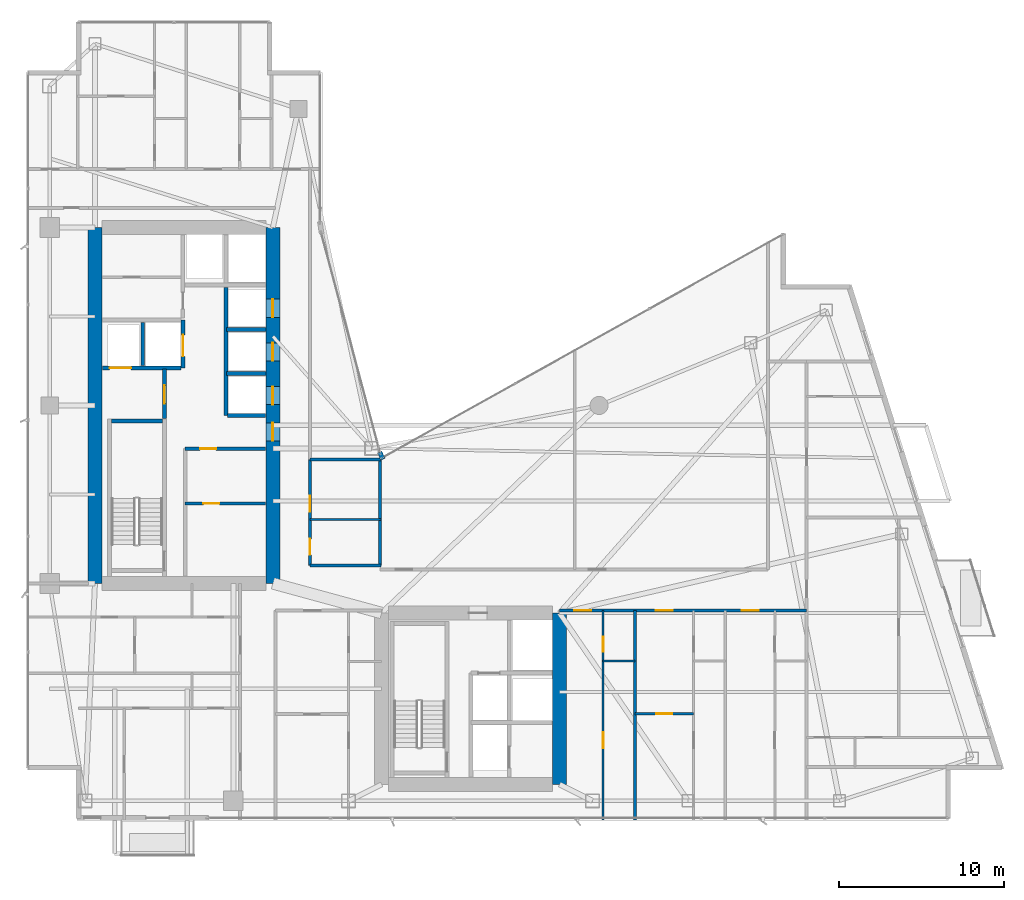
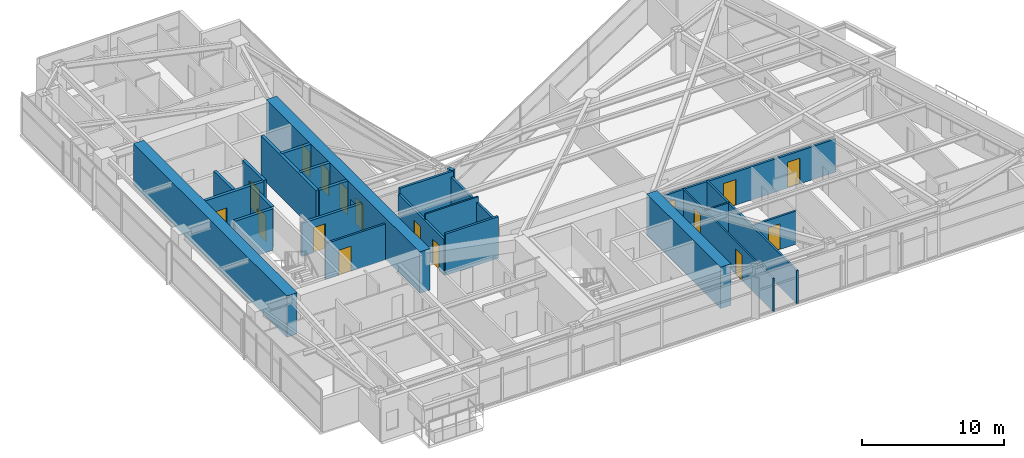
# One storey, part 23 of 28: 25 walls, 17 doors, 17 openings.
"""IFC4 building model written with IfcOpenShell, lengths in metres."""

from ifc_helpers import new_model, si_unit, direction, frame, frame_2d, origin, place, context, subcontext, project, spatial, rectangle, extrude, material, layer, layer_set, type_object, element, fill, save


model = new_model("IFC4")

# Units and contexts
model_context = context("Model", 3, precision=1e-05, world=origin(), true_north=direction((0.0, 1.0)))
body_context = subcontext(model_context, "Body", "Model", "MODEL_VIEW")
ifc_project = project(units=[si_unit("LENGTHUNIT", "METRE"), si_unit("AREAUNIT", "SQUARE_METRE"), si_unit("VOLUMEUNIT", "CUBIC_METRE"), si_unit("PLANEANGLEUNIT", "RADIAN"), si_unit("MASSUNIT", "GRAM", prefix="KILO")], contexts=[model_context])

# Site, building, storey
site_placement = place(None, origin())
site = spatial("IfcSite", under=ifc_project, at=site_placement, CompositionType="ELEMENT")
building_placement = place(site_placement, origin())
building = spatial("IfcBuilding", under=site, at=building_placement, Name="Calvorn Quay Hotel", CompositionType="ELEMENT")
storey_placement = place(building_placement, frame((0.0, 0.0, 108.800048828125)))
storey = spatial("IfcBuildingStorey", under=building, at=storey_placement, Name="L26", CompositionType="ELEMENT", Elevation=108.800048828125)

# Wall
ifc_material_1 = material(Name="Concrete C50", Category="concrete")
ifc_layer_1 = layer(ifc_material_1, 0.85009765625)
ifc_layer_set_1 = layer_set([ifc_layer_1], Name="WL-CORE-850")
wall_type_1 = type_object("IfcWallType", Name="WL-CORE-850", PredefinedType="SHEAR", material=ifc_layer_set_1)
wall_1_placement = place(storey_placement, frame((4.199951171875, 16.800048828125, 0.0), z_axis=(0.0, 0.0, 1.0), x_axis=(0.0, 1.0, 0.0)))
element("IfcWall", 1, at=wall_1_placement, inside=storey, type_object=wall_type_1, Name="West Core Shear Wall W (L26)", PredefinedType="SHEAR", context=body_context, shape_type="SweptSolid", body=[
    extrude(rectangle(XDim=21.599853515625, YDim=0.85009765625, at=frame_2d((10.7998046875, 0.0))), origin(), (0.0, 0.0, 1.0), 3.56005859375),
])

# Wall, openings, doors
wall_2_placement = place(storey_placement, frame((15.0, 16.800048828125, 0.0), z_axis=(0.0, 0.0, 1.0), x_axis=(0.0, 1.0, 0.0)))
wall_2 = element("IfcWall", 2, at=wall_2_placement, inside=storey, type_object=wall_type_1, Name="West Core Shear Wall E (L26)", PredefinedType="SHEAR", context=body_context, shape_type="SweptSolid", body=[
    extrude(rectangle(XDim=21.599853515625, YDim=0.85009765625, at=frame_2d((10.7998046875, 0.0))), origin(), (0.0, 0.0, 1.0), 3.56005859375),
])
opening_1_placement = place(wall_2_placement, frame((8.64990234375, 0.0, 0.0)))
opening_1 = element("IfcOpeningElement", 3, at=opening_1_placement, cuts=wall_2, Name="Opening D-L26-CW1", PredefinedType="OPENING", context=body_context, shape_type="SweptSolid", body=[
    extrude(rectangle(XDim=1.10009765625, YDim=2.199951171875, at=frame_2d((0.550048828125, 1.10009765625))), frame((0.0, 0.43505859375, 0.0), z_axis=(0.0, -1.0, 0.0), x_axis=(1.0, 0.0, 0.0)), (0.0, 0.0, 1.0), 0.8701171875),
])
opening_2_placement = place(wall_2_placement, frame((10.85009765625, 0.0, 0.0)))
opening_2 = element("IfcOpeningElement", 4, at=opening_2_placement, cuts=wall_2, Name="Opening LD-L26-M1", PredefinedType="OPENING", context=body_context, shape_type="SweptSolid", body=[
    extrude(rectangle(XDim=1.10009765625, YDim=2.199951171875, at=frame_2d((0.550048828125, 1.10009765625))), frame((0.0, 0.43505859375, 0.0), z_axis=(0.0, -1.0, 0.0), x_axis=(1.0, 0.0, 0.0)), (0.0, 0.0, 1.0), 0.8701171875),
])
opening_3_placement = place(wall_2_placement, frame((13.5, 0.0, 0.0)))
opening_3 = element("IfcOpeningElement", 5, at=opening_3_placement, cuts=wall_2, Name="Opening LD-L26-M2", PredefinedType="OPENING", context=body_context, shape_type="SweptSolid", body=[
    extrude(rectangle(XDim=1.10009765625, YDim=2.199951171875, at=frame_2d((0.550048828125, 1.10009765625))), frame((0.0, 0.43505859375, 0.0), z_axis=(0.0, -1.0, 0.0), x_axis=(1.0, 0.0, 0.0)), (0.0, 0.0, 1.0), 0.8701171875),
])
opening_4_placement = place(wall_2_placement, frame((16.14990234375, 0.0, 0.0)))
opening_4 = element("IfcOpeningElement", 6, at=opening_4_placement, cuts=wall_2, Name="Opening LD-L26-M3", PredefinedType="OPENING", context=body_context, shape_type="SweptSolid", body=[
    extrude(rectangle(XDim=1.10009765625, YDim=2.199951171875, at=frame_2d((0.550048828125, 1.10009765625))), frame((0.0, 0.43505859375, 0.0), z_axis=(0.0, -1.0, 0.0), x_axis=(1.0, 0.0, 0.0)), (0.0, 0.0, 1.0), 0.8701171875),
])
ifc_material_2 = material(Name="Smoke-Sealed Steel Class A Fire Door", Category="steel")
door_type_1 = type_object("IfcDoorType", Name="DR-FFLOBBY-1100", OperationType="NOTDEFINED", PredefinedType="DOOR", material=ifc_material_2)
door_1_placement = place(opening_1_placement, origin())
door_1 = element("IfcDoor", 7, at=door_1_placement, inside=storey, type_object=door_type_1, Name="West Core Vestibule Fire Door (L26)", OperationType="SINGLE_SWING_LEFT", OverallHeight=2.199951171875, OverallWidth=1.10009765625, PredefinedType="DOOR", context=body_context, shape_type="SweptSolid", body=[
    extrude(rectangle(XDim=1.10009765625, YDim=2.199951171875, at=frame_2d((0.550048828125, 1.10009765625))), frame((0.0, 0.02490234375, 0.0), z_axis=(0.0, -1.0, 0.0), x_axis=(1.0, 0.0, 0.0)), (0.0, 0.0, 1.0), 0.050048828125),
])
fill(opening_1, door_1)
ifc_material_3 = material(Name="Brushed Stainless Steel Sliding Lift Landing Door", Category="steel")
door_type_2 = type_object("IfcDoorType", Name="DR-LIFT-PASS-1100", OperationType="NOTDEFINED", PredefinedType="DOOR", material=ifc_material_3)
door_2_placement = place(opening_2_placement, origin())
door_2 = element("IfcDoor", 8, at=door_2_placement, inside=storey, type_object=door_type_2, Name="Mid-Rise Lift PL-M1 Landing Door (L26)", OperationType="DOUBLE_DOOR_SLIDING", OverallHeight=2.199951171875, OverallWidth=1.10009765625, PredefinedType="DOOR", context=body_context, shape_type="SweptSolid", body=[
    extrude(rectangle(XDim=1.10009765625, YDim=2.199951171875, at=frame_2d((0.550048828125, 1.10009765625))), frame((0.0, 0.02490234375, 0.0), z_axis=(0.0, -1.0, 0.0), x_axis=(1.0, 0.0, 0.0)), (0.0, 0.0, 1.0), 0.050048828125),
])
fill(opening_2, door_2)
door_3_placement = place(opening_3_placement, origin())
door_3 = element("IfcDoor", 9, at=door_3_placement, inside=storey, type_object=door_type_2, Name="Mid-Rise Lift PL-M2 Landing Door (L26)", OperationType="DOUBLE_DOOR_SLIDING", OverallHeight=2.199951171875, OverallWidth=1.10009765625, PredefinedType="DOOR", context=body_context, shape_type="SweptSolid", body=[
    extrude(rectangle(XDim=1.10009765625, YDim=2.199951171875, at=frame_2d((0.550048828125, 1.10009765625))), frame((0.0, 0.02490234375, 0.0), z_axis=(0.0, -1.0, 0.0), x_axis=(1.0, 0.0, 0.0)), (0.0, 0.0, 1.0), 0.050048828125),
])
fill(opening_3, door_3)
door_4_placement = place(opening_4_placement, origin())
door_4 = element("IfcDoor", 10, at=door_4_placement, inside=storey, type_object=door_type_2, Name="Mid-Rise Lift PL-M3 Landing Door (L26)", OperationType="DOUBLE_DOOR_SLIDING", OverallHeight=2.199951171875, OverallWidth=1.10009765625, PredefinedType="DOOR", context=body_context, shape_type="SweptSolid", body=[
    extrude(rectangle(XDim=1.10009765625, YDim=2.199951171875, at=frame_2d((0.550048828125, 1.10009765625))), frame((0.0, 0.02490234375, 0.0), z_axis=(0.0, -1.0, 0.0), x_axis=(1.0, 0.0, 0.0)), (0.0, 0.0, 1.0), 0.050048828125),
])
fill(opening_4, door_4)

# Walls
wall_3_placement = place(storey_placement, frame((32.39990234375, 4.60009765625, 0.0), z_axis=(0.0, 0.0, 1.0), x_axis=(0.0, 1.0, 0.0)))
element("IfcWall", 11, at=wall_3_placement, inside=storey, type_object=wall_type_1, Name="East Core Shear Wall E (L26)", PredefinedType="SHEAR", context=body_context, shape_type="SweptSolid", body=[
    extrude(rectangle(XDim=10.39990234375, YDim=0.85009765625, at=frame_2d((5.199951171875, 0.0))), origin(), (0.0, 0.0, 1.0), 3.56005859375),
])
ifc_material_4 = material(Name="Acoustic Fireboard Steel-Stud Partition", Category="steel")
ifc_layer_2 = layer(ifc_material_4, 0.179931640625)
ifc_layer_set_2 = layer_set([ifc_layer_2], Name="WL-CORR-FIRE-180")
wall_type_2 = type_object("IfcWallType", Name="WL-CORR-FIRE-180", PredefinedType="PARTITIONING", material=ifc_layer_set_2)
wall_4_placement = place(storey_placement, frame((17.25, 17.8798828125, 0.0), z_axis=(0.0, 0.0, 1.0), x_axis=(1.0, 0.0, 0.0)))
element("IfcWall", 12, at=wall_4_placement, inside=storey, type_object=wall_type_2, Name="Partition Wall L26-WL-HK-S", PredefinedType="PARTITIONING", context=body_context, shape_type="SweptSolid", body=[
    extrude(rectangle(XDim=4.300048828125, YDim=0.179931640625, at=frame_2d((2.14990234375, 0.0))), origin(), (0.0, 0.0, 1.0), 3.56005859375),
])
wall_5_placement = place(storey_placement, frame((17.25, 24.320068359375, 0.0), z_axis=(0.0, 0.0, 1.0), x_axis=(1.0, 0.0, 0.0)))
element("IfcWall", 13, at=wall_5_placement, inside=storey, type_object=wall_type_2, Name="Partition Wall L26-WL-HK-N", PredefinedType="PARTITIONING", context=body_context, shape_type="SweptSolid", body=[
    extrude(rectangle(XDim=4.35009765625, YDim=0.179931640625, at=frame_2d((2.175048828125, 0.0))), origin(), (0.0, 0.0, 1.0), 3.56005859375),
])
wall_6_placement = place(storey_placement, frame((21.5, 17.8798828125, 0.0), z_axis=(0.0, 0.0, 1.0), x_axis=(0.0, 1.0, 0.0)))
element("IfcWall", 14, at=wall_6_placement, inside=storey, type_object=wall_type_2, Name="Partition Wall L26-WL-HK-E", PredefinedType="PARTITIONING", context=body_context, shape_type="SweptSolid", body=[
    extrude(rectangle(XDim=6.440185546875, YDim=0.179931640625, at=frame_2d((3.22021484375, 0.0))), origin(), (0.0, 0.0, 1.0), 3.08984375),
])

# Wall, openings, doors
wall_7_placement = place(storey_placement, frame((17.25, 17.8798828125, 0.0), z_axis=(0.0, 0.0, 1.0), x_axis=(0.0, 1.0, 0.0)))
wall_7 = element("IfcWall", 15, at=wall_7_placement, inside=storey, type_object=wall_type_2, Name="Partition Wall L26-WL-HK-W", PredefinedType="PARTITIONING", context=body_context, shape_type="SweptSolid", body=[
    extrude(rectangle(XDim=6.440185546875, YDim=0.179931640625, at=frame_2d((3.22021484375, 0.0))), origin(), (0.0, 0.0, 1.0), 3.08984375),
])
opening_5_placement = place(wall_7_placement, frame((0.64990234375, 0.0, 0.0)))
opening_5 = element("IfcOpeningElement", 16, at=opening_5_placement, cuts=wall_7, Name="Opening D-L26-HK", PredefinedType="OPENING", context=body_context, shape_type="SweptSolid", body=[
    extrude(rectangle(XDim=0.97998046875, YDim=2.14990234375, at=frame_2d((0.489990234375, 1.074951171875))), frame((0.0, 0.099853515625, 0.0), z_axis=(0.0, -1.0, 0.0), x_axis=(1.0, 0.0, 0.0)), (0.0, 0.0, 1.0), 0.199951171875),
])
opening_6_placement = place(wall_7_placement, frame((3.27001953125, 0.0, 0.0)))
opening_6 = element("IfcOpeningElement", 17, at=opening_6_placement, cuts=wall_7, Name="Opening D-L26-NCP", PredefinedType="OPENING", context=body_context, shape_type="SweptSolid", body=[
    extrude(rectangle(XDim=0.9599609375, YDim=2.199951171875, at=frame_2d((0.47998046875, 1.10009765625))), frame((0.0, 0.099853515625, 0.0), z_axis=(0.0, -1.0, 0.0), x_axis=(1.0, 0.0, 0.0)), (0.0, 0.0, 1.0), 0.199951171875),
])
ifc_material_5 = material(Name="Painted Steel Housekeeping/Riser Fire Door", Category="steel")
door_type_3 = type_object("IfcDoorType", Name="DR-SERVICE-980", OperationType="NOTDEFINED", PredefinedType="DOOR", material=ifc_material_5)
door_5_placement = place(opening_5_placement, origin())
door_5 = element("IfcDoor", 18, at=door_5_placement, inside=storey, type_object=door_type_3, Name="Floor Housekeeping Door (L26)", OperationType="SINGLE_SWING_LEFT", OverallHeight=2.14990234375, OverallWidth=0.97998046875, PredefinedType="DOOR", context=body_context, shape_type="SweptSolid", body=[
    extrude(rectangle(XDim=0.97998046875, YDim=2.14990234375, at=frame_2d((0.489990234375, 1.074951171875))), frame((0.0, 0.02490234375, 0.0), z_axis=(0.0, -1.0, 0.0), x_axis=(1.0, 0.0, 0.0)), (0.0, 0.0, 1.0), 0.050048828125),
])
fill(opening_5, door_5)
ifc_material_6 = material(Name="Solid Timber Internal Suite Door", Category="wood")
door_type_4 = type_object("IfcDoorType", Name="DR-SUITE-INT-960", OperationType="NOTDEFINED", PredefinedType="DOOR", material=ifc_material_6)
door_6_placement = place(opening_6_placement, origin())
door_6 = element("IfcDoor", 19, at=door_6_placement, inside=storey, type_object=door_type_4, Name="Reading Alcove Door (L26)", OperationType="SINGLE_SWING_RIGHT", OverallHeight=2.199951171875, OverallWidth=0.9599609375, PredefinedType="DOOR", context=body_context, shape_type="SweptSolid", body=[
    extrude(rectangle(XDim=0.9599609375, YDim=2.199951171875, at=frame_2d((0.47998046875, 1.10009765625))), frame((0.0, 0.02490234375, 0.0), z_axis=(0.0, -1.0, 0.0), x_axis=(1.0, 0.0, 0.0)), (0.0, 0.0, 1.0), 0.050048828125),
])
fill(opening_6, door_6)

wall_8_placement = place(storey_placement, frame((32.39990234375, 15.14990234375, 0.0), z_axis=(0.0, 0.0, 1.0), x_axis=(1.0, 0.0, 0.0)))
wall_8 = element("IfcWall", 20, at=wall_8_placement, inside=storey, type_object=wall_type_2, Name="Partition Wall L26-WL-CORR-SE-S", PredefinedType="PARTITIONING", context=body_context, shape_type="SweptSolid", body=[
    extrude(rectangle(XDim=15.0, YDim=0.179931640625, at=frame_2d((7.5, 0.0))), origin(), (0.0, 0.0, 1.0), 2.83984375),
])
opening_7_placement = place(wall_8_placement, frame((0.909912109375, 0.0, 0.0)))
opening_7 = element("IfcOpeningElement", 21, at=opening_7_placement, cuts=wall_8, Name="Opening D-L26-U06", PredefinedType="OPENING", context=body_context, shape_type="SweptSolid", body=[
    extrude(rectangle(XDim=1.02001953125, YDim=2.199951171875, at=frame_2d((0.510009765625, 1.10009765625))), frame((0.0, 0.099853515625, 0.0), z_axis=(0.0, -1.0, 0.0), x_axis=(1.0, 0.0, 0.0)), (0.0, 0.0, 1.0), 0.199951171875),
])
opening_8_placement = place(wall_8_placement, frame((5.85009765625, 0.0, 0.0)))
opening_8 = element("IfcOpeningElement", 22, at=opening_8_placement, cuts=wall_8, Name="Opening D-L26-U07", PredefinedType="OPENING", context=body_context, shape_type="SweptSolid", body=[
    extrude(rectangle(XDim=1.02001953125, YDim=2.199951171875, at=frame_2d((0.510009765625, 1.10009765625))), frame((0.0, 0.099853515625, 0.0), z_axis=(0.0, -1.0, 0.0), x_axis=(1.0, 0.0, 0.0)), (0.0, 0.0, 1.0), 0.199951171875),
])
opening_9_placement = place(wall_8_placement, frame((11.06005859375, 0.0, 0.0)))
opening_9 = element("IfcOpeningElement", 23, at=opening_9_placement, cuts=wall_8, Name="Opening D-L26-U08", PredefinedType="OPENING", context=body_context, shape_type="SweptSolid", body=[
    extrude(rectangle(XDim=1.02001953125, YDim=2.199951171875, at=frame_2d((0.510009765625, 1.10009765625))), frame((0.0, 0.099853515625, 0.0), z_axis=(0.0, -1.0, 0.0), x_axis=(1.0, 0.0, 0.0)), (0.0, 0.0, 1.0), 0.199951171875),
])
ifc_material_7 = material(Name="Solid-Core Walnut Veneer Hotel Fire Door")
door_type_5 = type_object("IfcDoorType", Name="DR-GUEST-ENTRY-1020", OperationType="NOTDEFINED", PredefinedType="DOOR", material=ifc_material_7)
door_7_placement = place(opening_7_placement, origin())
door_7 = element("IfcDoor", 24, at=door_7_placement, inside=storey, type_object=door_type_5, Name="South-East Unit Door U06 (L26)", OperationType="SINGLE_SWING_LEFT", OverallHeight=2.199951171875, OverallWidth=1.02001953125, PredefinedType="DOOR", context=body_context, shape_type="SweptSolid", body=[
    extrude(rectangle(XDim=1.02001953125, YDim=2.199951171875, at=frame_2d((0.510009765625, 1.10009765625))), frame((0.0, 0.02490234375, 0.0), z_axis=(0.0, -1.0, 0.0), x_axis=(1.0, 0.0, 0.0)), (0.0, 0.0, 1.0), 0.050048828125),
])
fill(opening_7, door_7)
door_8_placement = place(opening_8_placement, origin())
door_8 = element("IfcDoor", 25, at=door_8_placement, inside=storey, type_object=door_type_5, Name="South-East Unit Door U07 (L26)", OperationType="SINGLE_SWING_RIGHT", OverallHeight=2.199951171875, OverallWidth=1.02001953125, PredefinedType="DOOR", context=body_context, shape_type="SweptSolid", body=[
    extrude(rectangle(XDim=1.02001953125, YDim=2.199951171875, at=frame_2d((0.510009765625, 1.10009765625))), frame((0.0, 0.02490234375, 0.0), z_axis=(0.0, -1.0, 0.0), x_axis=(1.0, 0.0, 0.0)), (0.0, 0.0, 1.0), 0.050048828125),
])
fill(opening_8, door_8)
door_9_placement = place(opening_9_placement, origin())
door_9 = element("IfcDoor", 26, at=door_9_placement, inside=storey, type_object=door_type_5, Name="South-East Unit Door U08 (L26)", OperationType="SINGLE_SWING_LEFT", OverallHeight=2.199951171875, OverallWidth=1.02001953125, PredefinedType="DOOR", context=body_context, shape_type="SweptSolid", body=[
    extrude(rectangle(XDim=1.02001953125, YDim=2.199951171875, at=frame_2d((0.510009765625, 1.10009765625))), frame((0.0, 0.02490234375, 0.0), z_axis=(0.0, -1.0, 0.0), x_axis=(1.0, 0.0, 0.0)), (0.0, 0.0, 1.0), 0.050048828125),
])
fill(opening_9, door_9)

# Walls
ifc_material_8 = material(Name="Moisture-Resistant Tile-Backed Partition")
ifc_layer_3 = layer(ifc_material_8, 0.125)
ifc_layer_set_3 = layer_set([ifc_layer_3], Name="WL-ENSUITE-125")
wall_type_3 = type_object("IfcWallType", Name="WL-ENSUITE-125", PredefinedType="PARTITIONING", material=ifc_layer_set_3)
wall_9_placement = place(storey_placement, frame((17.25, 20.679931640625, 0.0), z_axis=(0.0, 0.0, 1.0), x_axis=(1.0, 0.0, 0.0)))
element("IfcWall", 27, at=wall_9_placement, inside=storey, type_object=wall_type_3, Name="Partition Wall L26-WL-HK-M", PredefinedType="PARTITIONING", context=body_context, shape_type="SweptSolid", body=[
    extrude(rectangle(XDim=4.300048828125, YDim=0.125, at=frame_2d((2.14990234375, 0.0))), origin(), (0.0, 0.0, 1.0), 3.56005859375),
])
wall_10_placement = place(storey_placement, frame((35.050048828125, 12.10009765625, 0.0), z_axis=(0.0, 0.0, 1.0), x_axis=(1.0, 0.0, 0.0)))
element("IfcWall", 28, at=wall_10_placement, inside=storey, type_object=wall_type_3, Name="Partition Wall L26-WL-U06-BDV", PredefinedType="PARTITIONING", context=body_context, shape_type="SweptSolid", body=[
    extrude(rectangle(XDim=1.929931640625, YDim=0.125, at=frame_2d((0.96484375, 0.0))), origin(), (0.0, 0.0, 1.0), 2.83984375),
])

# Wall, openings, doors
wall_11_placement = place(storey_placement, frame((35.050048828125, 2.43994140625, 0.0), z_axis=(0.0, 0.0, 1.0), x_axis=(0.0, 1.0, 0.0)))
wall_11 = element("IfcWall", 29, at=wall_11_placement, inside=storey, type_object=wall_type_3, Name="Partition Wall L26-WL-U06-BV", PredefinedType="PARTITIONING", context=body_context, shape_type="SweptSolid", body=[
    extrude(rectangle(XDim=12.7099609375, YDim=0.125, at=frame_2d((6.35498046875, 0.0))), origin(), (0.0, 0.0, 1.0), 2.83984375),
])
opening_10_placement = place(wall_11_placement, frame((4.35009765625, 0.0, 0.0)))
opening_10 = element("IfcOpeningElement", 30, at=opening_10_placement, cuts=wall_11, Name="Opening D-L26-S06", PredefinedType="OPENING", context=body_context, shape_type="SweptSolid", body=[
    extrude(rectangle(XDim=0.9599609375, YDim=2.199951171875, at=frame_2d((0.47998046875, 1.10009765625))), frame((0.0, 0.072509765625, 0.0), z_axis=(0.0, -1.0, 0.0), x_axis=(1.0, 0.0, 0.0)), (0.0, 0.0, 1.0), 0.14501953125),
])
opening_11_placement = place(wall_11_placement, frame((10.2099609375, 0.0, 0.0)))
opening_11 = element("IfcOpeningElement", 31, at=opening_11_placement, cuts=wall_11, Name="Opening D-L26-E06", PredefinedType="OPENING", context=body_context, shape_type="SweptSolid", body=[
    extrude(rectangle(XDim=0.89990234375, YDim=2.14990234375, at=frame_2d((0.449951171875, 1.074951171875))), frame((0.0, 0.072509765625, 0.0), z_axis=(0.0, -1.0, 0.0), x_axis=(1.0, 0.0, 0.0)), (0.0, 0.0, 1.0), 0.14501953125),
])
ifc_material_9 = material(Name="Moisture-Sealed Timber En-Suite Door", Category="wood")
door_type_6 = type_object("IfcDoorType", Name="DR-ENSUITE-900", OperationType="NOTDEFINED", PredefinedType="DOOR", material=ifc_material_9)
door_10_placement = place(opening_11_placement, origin())
door_10 = element("IfcDoor", 32, at=door_10_placement, inside=storey, type_object=door_type_6, Name="En-Suite Door 06", OperationType="SINGLE_SWING_RIGHT", OverallHeight=2.14990234375, OverallWidth=0.89990234375, PredefinedType="DOOR", context=body_context, shape_type="SweptSolid", body=[
    extrude(rectangle(XDim=0.89990234375, YDim=2.14990234375, at=frame_2d((0.449951171875, 1.074951171875))), frame((0.0, 0.02490234375, 0.0), z_axis=(0.0, -1.0, 0.0), x_axis=(1.0, 0.0, 0.0)), (0.0, 0.0, 1.0), 0.050048828125),
])
fill(opening_11, door_10)
door_11_placement = place(opening_10_placement, origin())
door_11 = element("IfcDoor", 33, at=door_11_placement, inside=storey, type_object=door_type_4, Name="Harbour Dining Den Door 06", OperationType="SINGLE_SWING_LEFT", OverallHeight=2.199951171875, OverallWidth=0.9599609375, PredefinedType="DOOR", context=body_context, shape_type="SweptSolid", body=[
    extrude(rectangle(XDim=0.9599609375, YDim=2.199951171875, at=frame_2d((0.47998046875, 1.10009765625))), frame((0.0, 0.02490234375, 0.0), z_axis=(0.0, -1.0, 0.0), x_axis=(1.0, 0.0, 0.0)), (0.0, 0.0, 1.0), 0.050048828125),
])
fill(opening_10, door_11)

# Wall
ifc_material_10 = material(Name="Concrete C40", Category="concrete")
ifc_layer_4 = layer(ifc_material_10, 0.320068359375)
ifc_layer_set_4 = layer_set([ifc_layer_4], Name="WL-EXT-SPANDREL-320")
wall_type_4 = type_object("IfcWallType", Name="WL-EXT-SPANDREL-320", PredefinedType="SOLIDWALL", material=ifc_layer_set_4)
wall_12_placement = place(storey_placement, frame((21.679931640625, 24.340087890625, 0.0), z_axis=(0.0, 0.0, 1.0), x_axis=(-0.40758134973, 0.913168901875, 0.0)))
element("IfcWall", 34, at=wall_12_placement, inside=storey, type_object=wall_type_4, Name="Inner Court Corner Pier L26-ICJ1", PredefinedType="SOLIDWALL", context=body_context, shape_type="SweptSolid", body=[
    extrude(rectangle(XDim=0.470703125, YDim=0.280029296875, at=frame_2d((0.2353515625, 0.0))), origin(), (0.0, 0.0, 1.0), 3.56005859375),
])

# Wall, opening, door
ifc_material_11 = material(Name="Double-Stud Acoustic Gypsum Partition")
ifc_layer_5 = layer(ifc_material_11, 0.159912109375)
ifc_layer_set_5 = layer_set([ifc_layer_5], Name="WL-INTERSUITE-160")
wall_type_5 = type_object("IfcWallType", Name="WL-INTERSUITE-160", PredefinedType="PARTITIONING", material=ifc_layer_set_5)
wall_13_placement = place(storey_placement, frame((9.679931640625, 21.64990234375, 0.0), z_axis=(0.0, 0.0, 1.0), x_axis=(1.0, 0.0, 0.0)))
wall_13 = element("IfcWall", 35, at=wall_13_placement, inside=storey, type_object=wall_type_5, Name="Partition Wall L26-WL-CWW-FR-SPLIT", PredefinedType="PARTITIONING", context=body_context, shape_type="SweptSolid", body=[
    extrude(rectangle(XDim=4.875, YDim=0.159912109375, at=frame_2d((2.4375, 0.0))), origin(), (0.0, 0.0, 1.0), 3.08984375),
])
opening_12_placement = place(wall_13_placement, frame((1.10009765625, 0.0, 0.0)))
opening_12 = element("IfcOpeningElement", 36, at=opening_12_placement, cuts=wall_13, Name="Opening D-L26-FRL1", PredefinedType="OPENING", context=body_context, shape_type="SweptSolid", body=[
    extrude(rectangle(XDim=0.97998046875, YDim=2.14990234375, at=frame_2d((0.489990234375, 1.074951171875))), frame((0.0, 0.08984375, 0.0), z_axis=(0.0, -1.0, 0.0), x_axis=(1.0, 0.0, 0.0)), (0.0, 0.0, 1.0), 0.179931640625),
])
door_12_placement = place(opening_12_placement, origin())
door_12 = element("IfcDoor", 37, at=door_12_placement, inside=storey, type_object=door_type_3, Name="Linen Store Room Door (L26)", OperationType="SINGLE_SWING_LEFT", OverallHeight=2.14990234375, OverallWidth=0.97998046875, PredefinedType="DOOR", context=body_context, shape_type="SweptSolid", body=[
    extrude(rectangle(XDim=0.97998046875, YDim=2.14990234375, at=frame_2d((0.489990234375, 1.074951171875))), frame((0.0, 0.02490234375, 0.0), z_axis=(0.0, -1.0, 0.0), x_axis=(1.0, 0.0, 0.0)), (0.0, 0.0, 1.0), 0.050048828125),
])
fill(opening_12, door_12)

wall_14_placement = place(storey_placement, frame((36.97998046875, 8.8798828125, 0.0), z_axis=(0.0, 0.0, 1.0), x_axis=(1.0, 0.0, 0.0)))
wall_14 = element("IfcWall", 38, at=wall_14_placement, inside=storey, type_object=wall_type_5, Name="Partition Wall L26-WL-U07-MSP", PredefinedType="PARTITIONING", context=body_context, shape_type="SweptSolid", body=[
    extrude(rectangle(XDim=3.56005859375, YDim=0.159912109375, at=frame_2d((1.780029296875, 0.0))), origin(), (0.0, 0.0, 1.0), 2.83984375),
])
opening_13_placement = place(wall_14_placement, frame((1.300048828125, 0.0, 0.0)))
opening_13 = element("IfcOpeningElement", 39, at=opening_13_placement, cuts=wall_14, Name="Opening D-L26-M07", PredefinedType="OPENING", context=body_context, shape_type="SweptSolid", body=[
    extrude(rectangle(XDim=0.9599609375, YDim=2.199951171875, at=frame_2d((0.47998046875, 1.10009765625))), frame((0.0, 0.08984375, 0.0), z_axis=(0.0, -1.0, 0.0), x_axis=(1.0, 0.0, 0.0)), (0.0, 0.0, 1.0), 0.179931640625),
])
door_13_placement = place(opening_13_placement, origin())
door_13 = element("IfcDoor", 40, at=door_13_placement, inside=storey, type_object=door_type_4, Name="Suite Bedroom Door 07", OperationType="SINGLE_SWING_LEFT", OverallHeight=2.199951171875, OverallWidth=0.9599609375, PredefinedType="DOOR", context=body_context, shape_type="SweptSolid", body=[
    extrude(rectangle(XDim=0.9599609375, YDim=2.199951171875, at=frame_2d((0.47998046875, 1.10009765625))), frame((0.0, 0.02490234375, 0.0), z_axis=(0.0, -1.0, 0.0), x_axis=(1.0, 0.0, 0.0)), (0.0, 0.0, 1.0), 0.050048828125),
])
fill(opening_13, door_13)

# Wall
wall_15_placement = place(storey_placement, frame((36.97998046875, 2.43994140625, 0.0), z_axis=(0.0, 0.0, 1.0), x_axis=(0.0, 1.0, 0.0)))
element("IfcWall", 41, at=wall_15_placement, inside=storey, type_object=wall_type_5, Name="Partition Wall L26-WL-SE-DIV-1", PredefinedType="PARTITIONING", context=body_context, shape_type="SweptSolid", body=[
    extrude(rectangle(XDim=12.7099609375, YDim=0.159912109375, at=frame_2d((6.35498046875, 0.0))), origin(), (0.0, 0.0, 1.0), 2.83984375),
])

# Wall, opening, door
ifc_material_12 = material(Name="Autoclaved Aerated Masonry Block", Category="masonry")
ifc_layer_6 = layer(ifc_material_12, 0.219970703125)
ifc_layer_set_6 = layer_set([ifc_layer_6], Name="WL-LOBBY-FIRE-220")
wall_type_6 = type_object("IfcWallType", Name="WL-LOBBY-FIRE-220", PredefinedType="SOLIDWALL", material=ifc_layer_set_6)
wall_16_placement = place(storey_placement, frame((9.679931640625, 24.969970703125, 0.0), z_axis=(0.0, 0.0, 1.0), x_axis=(1.0, 0.0, 0.0)))
wall_16 = element("IfcWall", 42, at=wall_16_placement, inside=storey, type_object=wall_type_6, Name="Partition Wall L26-WL-CWW-FR-N", PredefinedType="SOLIDWALL", context=body_context, shape_type="SweptSolid", body=[
    extrude(rectangle(XDim=4.875, YDim=0.219970703125, at=frame_2d((2.4375, 0.0))), origin(), (0.0, 0.0, 1.0), 2.83984375),
])
opening_14_placement = place(wall_16_placement, frame((0.89990234375, 0.0, 0.0)))
opening_14 = element("IfcOpeningElement", 43, at=opening_14_placement, cuts=wall_16, Name="Opening D-L26-FRL2", PredefinedType="OPENING", context=body_context, shape_type="SweptSolid", body=[
    extrude(rectangle(XDim=0.97998046875, YDim=2.14990234375, at=frame_2d((0.489990234375, 1.074951171875))), frame((0.0, 0.119873046875, 0.0), z_axis=(0.0, -1.0, 0.0), x_axis=(1.0, 0.0, 0.0)), (0.0, 0.0, 1.0), 0.239990234375),
])
door_14_placement = place(opening_14_placement, origin())
door_14 = element("IfcDoor", 44, at=door_14_placement, inside=storey, type_object=door_type_3, Name="Beverage Pantry Door (L26)", OperationType="SINGLE_SWING_RIGHT", OverallHeight=2.14990234375, OverallWidth=0.97998046875, PredefinedType="DOOR", context=body_context, shape_type="SweptSolid", body=[
    extrude(rectangle(XDim=0.97998046875, YDim=2.14990234375, at=frame_2d((0.489990234375, 1.074951171875))), frame((0.0, 0.02490234375, 0.0), z_axis=(0.0, -1.0, 0.0), x_axis=(1.0, 0.0, 0.0)), (0.0, 0.0, 1.0), 0.050048828125),
])
fill(opening_14, door_14)

# Walls
ifc_material_13 = material(Name="Concrete C40", Category="concrete")
ifc_layer_7 = layer(ifc_material_13, 0.239990234375)
ifc_layer_set_7 = layer_set([ifc_layer_7], Name="WL-SHAFT-240")
wall_type_7 = type_object("IfcWallType", Name="WL-SHAFT-240", PredefinedType="SOLIDWALL", material=ifc_layer_set_7)
wall_17_placement = place(storey_placement, frame((5.199951171875, 26.669921875, 0.0), z_axis=(0.0, 0.0, 1.0), x_axis=(1.0, 0.0, 0.0)))
element("IfcWall", 45, at=wall_17_placement, inside=storey, type_object=wall_type_7, Name="Stair STW Shaft Wall N (L26)", PredefinedType="SOLIDWALL", context=body_context, shape_type="SweptSolid", body=[
    extrude(rectangle(XDim=3.10009765625, YDim=0.239990234375, at=frame_2d((1.550048828125, 0.0))), origin(), (0.0, 0.0, 1.0), 3.56005859375),
])
for number, where, z_axis, x_axis, name in (
    (46, (12.179931640625, 29.550048828125, 0.0), (0.0, 0.0, 1.0), (1.0, 0.0, 0.0), "Lift Hoistway Divider Wall PLM12 (L26)"),
    (47, (12.179931640625, 32.199951171875, 0.0), (0.0, 0.0, 1.0), (1.0, 0.0, 0.0), "Lift Hoistway Divider Wall PLM23 (L26)"),
):
    element("IfcWall", number, at=place(storey_placement, frame(where, z_axis=z_axis, x_axis=x_axis)), inside=storey, type_object=wall_type_7, Name=name, PredefinedType="SOLIDWALL", context=body_context, shape_type="SweptSolid", body=[
        extrude(rectangle(XDim=2.39501953125, YDim=0.239990234375, at=frame_2d((1.197509765625, 0.0))), origin(), (0.0, 0.0, 1.0), 3.56005859375),
    ])

# Wall, opening, door
wall_18_placement = place(storey_placement, frame((8.419921875, 26.820068359375, 0.0), z_axis=(0.0, 0.0, 1.0), x_axis=(0.0, 1.0, 0.0)))
wall_18 = element("IfcWall", 48, at=wall_18_placement, inside=storey, type_object=wall_type_7, Name="Partition Wall L26-WL-CWW-FFL-E", PredefinedType="SOLIDWALL", context=body_context, shape_type="SweptSolid", body=[
    extrude(rectangle(XDim=3.0, YDim=0.239990234375, at=frame_2d((1.5, 0.0))), origin(), (0.0, 0.0, 1.0), 3.56005859375),
])
opening_15_placement = place(wall_18_placement, frame((0.89990234375, 0.0, 0.0)))
opening_15 = element("IfcOpeningElement", 49, at=opening_15_placement, cuts=wall_18, Name="Opening D-L26-FLW", PredefinedType="OPENING", context=body_context, shape_type="SweptSolid", body=[
    extrude(rectangle(XDim=1.10009765625, YDim=2.199951171875, at=frame_2d((0.550048828125, 1.10009765625))), frame((0.0, 0.1298828125, 0.0), z_axis=(0.0, -1.0, 0.0), x_axis=(1.0, 0.0, 0.0)), (0.0, 0.0, 1.0), 0.260009765625),
])
door_15_placement = place(opening_15_placement, origin())
door_15 = element("IfcDoor", 50, at=door_15_placement, inside=storey, type_object=door_type_1, Name="West Firefighting Lobby Fire Door (L26)", OperationType="SINGLE_SWING_RIGHT", OverallHeight=2.199951171875, OverallWidth=1.10009765625, PredefinedType="DOOR", context=body_context, shape_type="SweptSolid", body=[
    extrude(rectangle(XDim=1.10009765625, YDim=2.199951171875, at=frame_2d((0.550048828125, 1.10009765625))), frame((0.0, 0.02490234375, 0.0), z_axis=(0.0, -1.0, 0.0), x_axis=(1.0, 0.0, 0.0)), (0.0, 0.0, 1.0), 0.050048828125),
])
fill(opening_15, door_15)

wall_19_placement = place(storey_placement, frame((4.64501953125, 29.8798828125, 0.0), z_axis=(0.0, 0.0, 1.0), x_axis=(1.0, 0.0, 0.0)))
wall_19 = element("IfcWall", 51, at=wall_19_placement, inside=storey, type_object=wall_type_7, Name="Partition Wall L26-WL-CWW-FLW-S", PredefinedType="SOLIDWALL", context=body_context, shape_type="SweptSolid", body=[
    extrude(rectangle(XDim=4.77490234375, YDim=0.239990234375, at=frame_2d((2.387451171875, 0.0))), origin(), (0.0, 0.0, 1.0), 3.56005859375),
])
opening_16_placement = place(wall_19_placement, frame((0.449951171875, 0.0, 0.0)))
opening_16 = element("IfcOpeningElement", 52, at=opening_16_placement, cuts=wall_19, Name="Opening LD-L26-FLW1", PredefinedType="OPENING", context=body_context, shape_type="SweptSolid", body=[
    extrude(rectangle(XDim=1.300048828125, YDim=2.35009765625, at=frame_2d((0.64990234375, 1.175048828125))), frame((0.0, 0.1298828125, 0.0), z_axis=(0.0, -1.0, 0.0), x_axis=(1.0, 0.0, 0.0)), (0.0, 0.0, 1.0), 0.260009765625),
])
ifc_material_14 = material(Name="Champagne-Bronze Sliding Express Lift Landing Door")
door_type_7 = type_object("IfcDoorType", Name="DR-LIFT-SHUTTLE-1300", OperationType="NOTDEFINED", PredefinedType="DOOR", material=ifc_material_14)
door_16_placement = place(opening_16_placement, origin())
door_16 = element("IfcDoor", 53, at=door_16_placement, inside=storey, type_object=door_type_7, Name="Firefighting Lift FL-W1 Landing Door (L26)", OperationType="DOUBLE_DOOR_SLIDING", OverallHeight=2.35009765625, OverallWidth=1.300048828125, PredefinedType="DOOR", context=body_context, shape_type="SweptSolid", body=[
    extrude(rectangle(XDim=1.300048828125, YDim=2.35009765625, at=frame_2d((0.64990234375, 1.175048828125))), frame((0.0, 0.02490234375, 0.0), z_axis=(0.0, -1.0, 0.0), x_axis=(1.0, 0.0, 0.0)), (0.0, 0.0, 1.0), 0.050048828125),
])
fill(opening_16, door_16)

# Wall
wall_20_placement = place(storey_placement, frame((7.10009765625, 30.02001953125, 0.0), z_axis=(0.0, 0.0, 1.0), x_axis=(0.0, 1.0, 0.0)))
element("IfcWall", 54, at=wall_20_placement, inside=storey, type_object=wall_type_7, Name="Partition Wall L26-WL-CWW-FLW-DIV", PredefinedType="SOLIDWALL", context=body_context, shape_type="SweptSolid", body=[
    extrude(rectangle(XDim=2.6298828125, YDim=0.239990234375, at=frame_2d((1.31494140625, 0.0))), origin(), (0.0, 0.0, 1.0), 3.56005859375),
])

# Wall, opening, door
wall_21_placement = place(storey_placement, frame((9.5400390625, 29.8798828125, 0.0), z_axis=(0.0, 0.0, 1.0), x_axis=(0.0, 1.0, 0.0)))
wall_21 = element("IfcWall", 55, at=wall_21_placement, inside=storey, type_object=wall_type_7, Name="Partition Wall L26-WL-CWW-SLW-E", PredefinedType="SOLIDWALL", context=body_context, shape_type="SweptSolid", body=[
    extrude(rectangle(XDim=2.900146484375, YDim=0.239990234375, at=frame_2d((1.4501953125, 0.0))), origin(), (0.0, 0.0, 1.0), 3.56005859375),
])
opening_17_placement = place(wall_21_placement, frame((0.699951171875, 0.0, 0.0)))
opening_17 = element("IfcOpeningElement", 56, at=opening_17_placement, cuts=wall_21, Name="Opening LD-L26-SLW1", PredefinedType="OPENING", context=body_context, shape_type="SweptSolid", body=[
    extrude(rectangle(XDim=1.300048828125, YDim=2.35009765625, at=frame_2d((0.64990234375, 1.175048828125))), frame((0.0, 0.1298828125, 0.0), z_axis=(0.0, -1.0, 0.0), x_axis=(1.0, 0.0, 0.0)), (0.0, 0.0, 1.0), 0.260009765625),
])
door_17_placement = place(opening_17_placement, origin())
door_17 = element("IfcDoor", 57, at=door_17_placement, inside=storey, type_object=door_type_7, Name="Service Lift SL-W1 Landing Door (L26)", OperationType="DOUBLE_DOOR_SLIDING", OverallHeight=2.35009765625, OverallWidth=1.300048828125, PredefinedType="DOOR", context=body_context, shape_type="SweptSolid", body=[
    extrude(rectangle(XDim=1.300048828125, YDim=2.35009765625, at=frame_2d((0.64990234375, 1.175048828125))), frame((0.0, 0.02490234375, 0.0), z_axis=(0.0, -1.0, 0.0), x_axis=(1.0, 0.0, 0.0)), (0.0, 0.0, 1.0), 0.050048828125),
])
fill(opening_17, door_17)

# Walls
wall_22_placement = place(storey_placement, frame((12.25, 27.0, 0.0), z_axis=(0.0, 0.0, 1.0), x_axis=(1.0, 0.0, 0.0)))
element("IfcWall", 58, at=wall_22_placement, inside=storey, type_object=wall_type_7, Name="Partition Wall L26-WL-CWW-PLM-S", PredefinedType="SOLIDWALL", context=body_context, shape_type="SweptSolid", body=[
    extrude(rectangle(XDim=2.304931640625, YDim=0.239990234375, at=frame_2d((1.15234375, 0.0))), origin(), (0.0, 0.0, 1.0), 3.56005859375),
])
wall_23_placement = place(storey_placement, frame((12.14990234375, 27.0, 0.0), z_axis=(0.0, 0.0, 1.0), x_axis=(0.0, 1.0, 0.0)))
element("IfcWall", 59, at=wall_23_placement, inside=storey, type_object=wall_type_7, Name="Partition Wall L26-WL-CWW-PLM-W", PredefinedType="SOLIDWALL", context=body_context, shape_type="SweptSolid", body=[
    extrude(rectangle(XDim=7.75, YDim=0.239990234375, at=frame_2d((3.875, 0.0))), origin(), (0.0, 0.0, 1.0), 3.56005859375),
])

save(model, "model.ifc")
